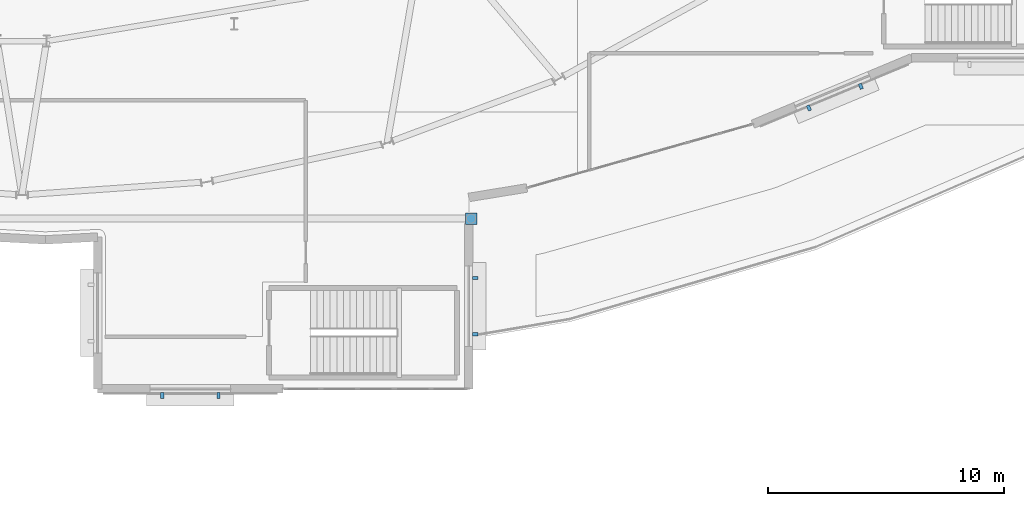
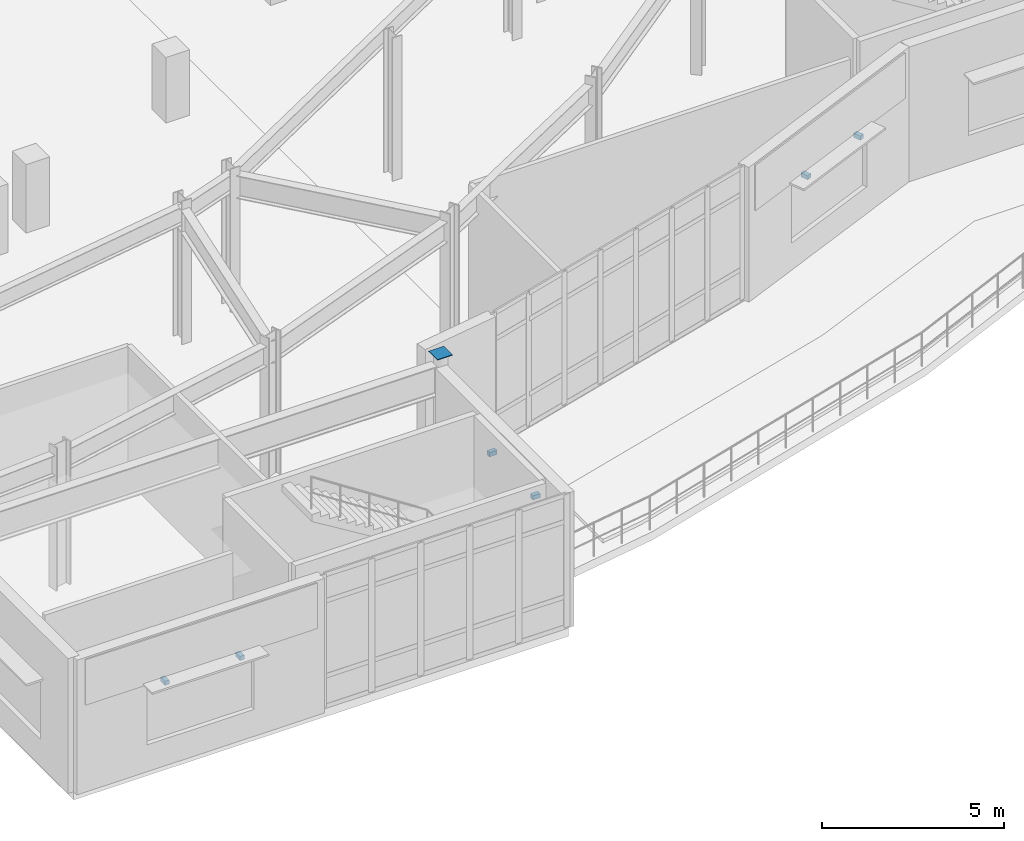
# One storey, part 71 of 84: 7 discrete accessories.
"""IFC4 building model written with IfcOpenShell, lengths in metres."""

from ifc_helpers import new_model, si_unit, direction, frame, origin, origin_2d, place, context, subcontext, project, spatial, rectangle, extrude, material, type_object, element, save


model = new_model("IFC4")

# Units and contexts
model_context = context("Model", 3, precision=1e-05, world=origin(), true_north=direction((0.0, 1.0)))
body_context = subcontext(model_context, "Body", "Model", "MODEL_VIEW")
ifc_project = project(units=[si_unit("LENGTHUNIT", "METRE"), si_unit("AREAUNIT", "SQUARE_METRE"), si_unit("VOLUMEUNIT", "CUBIC_METRE"), si_unit("PLANEANGLEUNIT", "RADIAN"), si_unit("MASSUNIT", "GRAM", prefix="KILO")], contexts=[model_context])

# Site, building, storey
site_placement = place(None, origin())
site = spatial("IfcSite", under=ifc_project, at=site_placement, CompositionType="ELEMENT")
building_placement = place(site_placement, origin())
building = spatial("IfcBuilding", under=site, at=building_placement, Name="Glasvene Arena", CompositionType="ELEMENT")
storey_placement = place(building_placement, frame((0.0, 0.0, 10.199951171875)))
storey = spatial("IfcBuildingStorey", under=building, at=storey_placement, Name="L02", CompositionType="ELEMENT", Elevation=10.199951171875)

# Discrete accessories
ifc_material_1 = material(Name="Steel S355J2", Category="steel")
discrete_accessory_type_1 = type_object("IfcDiscreteAccessoryType", Name="ACC-CAP-CHS420", PredefinedType="USERDEFINED", material=ifc_material_1)
discrete_accessory_placement = place(storey_placement, frame((111.0, 27.0, 4.798095703125), z_axis=(0.0, 0.0, 1.0), x_axis=(1.0, 0.0, 0.0)))
element("IfcDiscreteAccessory", 1, at=discrete_accessory_placement, inside=storey, type_object=discrete_accessory_type_1, Name="Hollow column top cap plate 13-4 L02", ObjectType="CAP PLATE", PredefinedType="USERDEFINED", context=body_context, shape_type="SweptSolid", body=[
    extrude(rectangle(XDim=0.47998046875, YDim=0.47998046875, at=origin_2d()), origin(), (0.0, 0.0, 1.0), 0.02001953125),
])
ifc_material_2 = material(Name="Warm bronze architectural aluminium", Category="aluminium")
discrete_accessory_type_2 = type_object("IfcDiscreteAccessoryType", Name="ACC-FIN-BRK", PredefinedType="BRACKET", material=ifc_material_2)
for number, where, z_axis, x_axis, name in (
    (2, (127.484619140625, 32.596923828125, 2.8701171875), (0.0, 0.0, 1.0), (-0.922807277859, -0.385261895248, 0.0), "Brise-soleil wall bracket BK-054"),
    (3, (125.288330078125, 31.679931640625, 2.8701171875), (0.0, 0.0, 1.0), (-0.922807277859, -0.385261895248, 0.0), "Brise-soleil wall bracket BK-054"),
    (4, (111.179931640625, 24.4873046875, 2.8701171875), (0.0, 0.0, 1.0), (0.0, -1.0, 0.0), "Brise-soleil wall bracket BK-055"),
    (5, (111.179931640625, 22.107421875, 2.8701171875), (0.0, 0.0, 1.0), (0.0, -1.0, 0.0), "Brise-soleil wall bracket BK-055"),
    (6, (100.31494140625, 19.52001953125, 2.8701171875), (0.0, 0.0, 1.0), (-1.0, 0.0, 0.0), "Brise-soleil wall bracket BK-056"),
    (7, (97.93505859375, 19.52001953125, 2.8701171875), (0.0, 0.0, 1.0), (-1.0, 0.0, 0.0), "Brise-soleil wall bracket BK-056"),
):
    element("IfcDiscreteAccessory", number, at=place(storey_placement, frame(where, z_axis=z_axis, x_axis=x_axis)), inside=storey, type_object=discrete_accessory_type_2, Name=name, PredefinedType="BRACKET", context=body_context, shape_type="SweptSolid", body=[
        extrude(rectangle(XDim=0.139892578125, YDim=0.239990234375, at=origin_2d()), origin(), (0.0, 0.0, 1.0), 0.139892578125),
    ])

save(model, "model.ifc")
